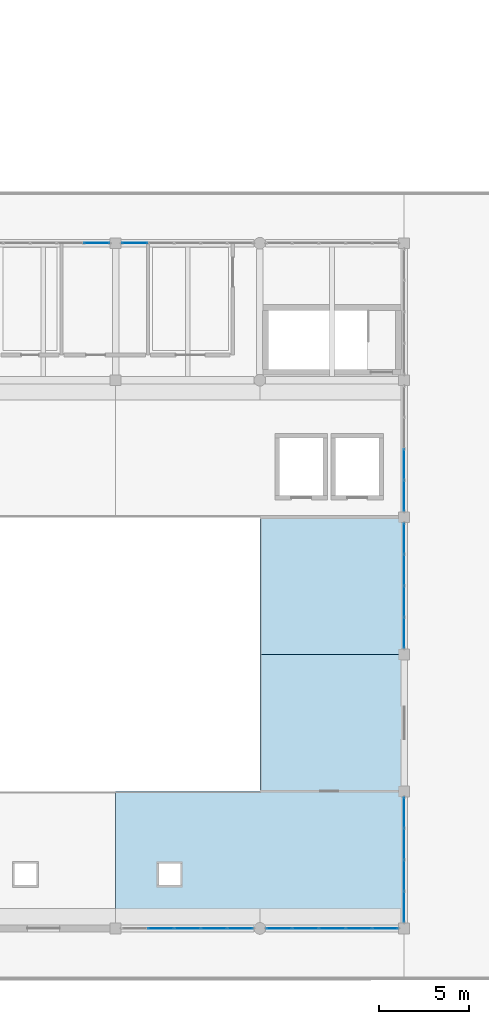
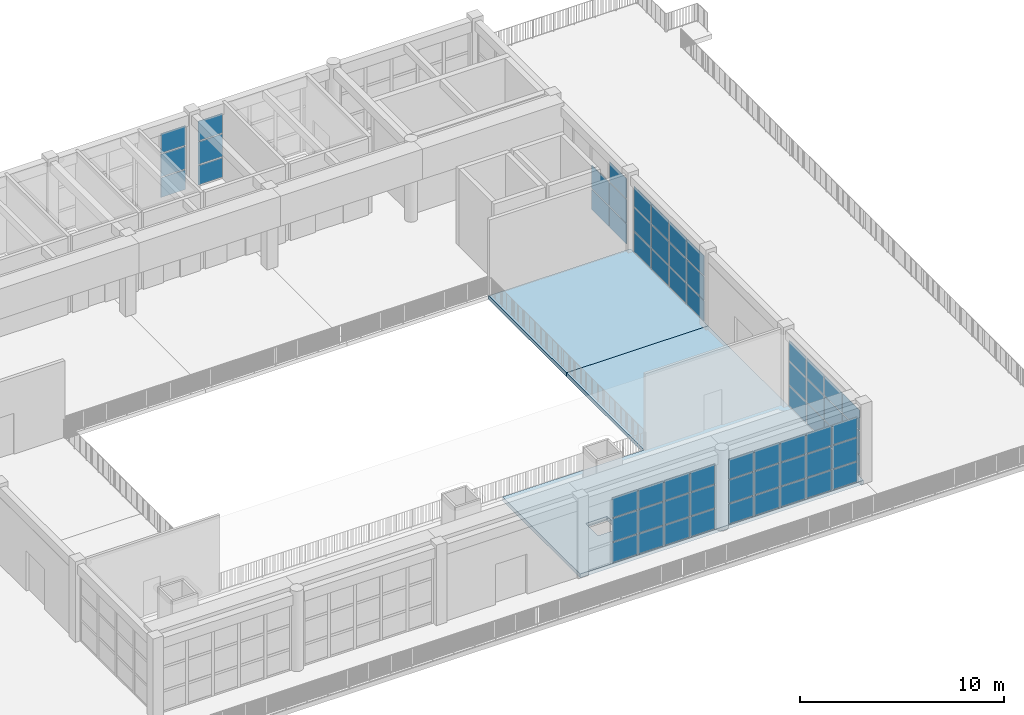
# One storey, part 24 of 32: 62 plates, 2 slabs, 7 elements without a shape of their own.
"""IFC4 building model written with IfcOpenShell, lengths in metres."""

from ifc_helpers import new_model, si_unit, direction, frame, origin, origin_2d, place, context, subcontext, project, spatial, polyline, rectangle, outline, extrude, material, layer, layer_set, type_object, element, aggregate, save


model = new_model("IFC4")

# Units and contexts
model_context = context("Model", 3, precision=1e-05, world=origin(), true_north=direction((0.0, 1.0)))
body_context = subcontext(model_context, "Body", "Model", "MODEL_VIEW")
ifc_project = project(units=[si_unit("LENGTHUNIT", "METRE"), si_unit("AREAUNIT", "SQUARE_METRE"), si_unit("VOLUMEUNIT", "CUBIC_METRE"), si_unit("PLANEANGLEUNIT", "RADIAN"), si_unit("MASSUNIT", "GRAM", prefix="KILO")], contexts=[model_context])

# Site, building, storey
site_placement = place(None, origin())
site = spatial("IfcSite", under=ifc_project, at=site_placement, CompositionType="ELEMENT")
building_placement = place(site_placement, origin())
building = spatial("IfcBuilding", under=site, at=building_placement, Name="Zantavel Square City Hall", CompositionType="ELEMENT")
storey_placement = place(building_placement, frame((0.0, 0.0, 23.699951171875)))
storey = spatial("IfcBuildingStorey", under=building, at=storey_placement, Name="L06", CompositionType="ELEMENT", Elevation=23.699951171875)

# Slabs
ifc_material_1 = material(Name="Concrete C35/45", Category="concrete")
ifc_layer_1 = layer(ifc_material_1, 0.22998046875, Name="Concrete C35/45")
ifc_layer_set_1 = layer_set([ifc_layer_1], Name="Concrete C35/45")
slab_type = type_object("IfcSlabType", Name="Gallery Mezzanine Slab 230mm C35/45", PredefinedType="FLOOR", material=ifc_layer_set_1)
slab_1_placement = place(storey_placement, frame((0.0, 0.0, -0.22998046875)))
element("IfcSlab", 1, at=slab_1_placement, inside=storey, type_object=slab_type, Name="L06 Floor Slab SLB-L06-V1-03", PredefinedType="FLOOR", context=body_context, shape_type="SweptSolid", body=[
    extrude(outline(polyline([(104.0, 30.39990234375), (88.0, 30.39990234375), (88.0, 38.0), (96.0, 38.0), (96.0, 45.60009765625), (104.0, 45.60009765625), (104.0, 30.39990234375)]), holes=[polyline([(91.60009765625, 34.0), (90.39990234375, 34.0), (90.39990234375, 32.800048828125), (91.60009765625, 32.800048828125), (91.60009765625, 34.0)])]), origin(), (0.0, 0.0, 1.0), 0.22998046875),
])
slab_2_placement = place(storey_placement, frame((0.0, 0.0, -0.22998046875)))
element("IfcSlab", 2, at=slab_2_placement, inside=storey, type_object=slab_type, Name="L06 Floor Slab SLB-L06-V1-06", PredefinedType="FLOOR", context=body_context, shape_type="SweptSolid", body=[
    extrude(outline(polyline([(104.0, 53.199951171875), (104.0, 45.60009765625), (96.0, 45.60009765625), (96.0, 53.199951171875), (104.0, 53.199951171875)])), origin(), (0.0, 0.0, 1.0), 0.22998046875),
])

# Curtain wall, plates
ifc_material_2 = material(Name="Anodised aluminium 6063-T6", Category="aluminium")
curtain_wall_type_1 = type_object("IfcCurtainWallType", Name="Curtain Wall TRV1 7375x3930", PredefinedType="USERDEFINED", material=ifc_material_2)
curtain_wall_1_placement = place(storey_placement, origin())
curtain_wall_1 = element("IfcCurtainWall", 3, at=curtain_wall_1_placement, inside=storey, type_object=curtain_wall_type_1, Name="L06 Glazed Curtain Wall CW-L06-148", ObjectType="GLAZED CURTAIN WALL", PredefinedType="USERDEFINED")
ifc_material_3 = material(Name="Tempered safety glass low-E double glazing", Category="glass")
ifc_layer_2 = layer(ifc_material_3, 0.028076171875, Name="Tempered safety glass low-E double glazing")
ifc_layer_set_2 = layer_set([ifc_layer_2], Name="Tempered safety glass low-E double glazing")
plate_type_1 = type_object("IfcPlateType", Name="Low-E Curtain Glazing Panel 1475x1310x28", PredefinedType="CURTAIN_PANEL", material=ifc_layer_set_2)
plate_1_placement = place(storey_placement, frame((89.052490234375, 68.39990234375, 0.06005859375), z_axis=(0.0, 0.0, 1.0), x_axis=(1.0, 0.0, 0.0)))
plate_1 = element("IfcPlate", 4, at=plate_1_placement, type_object=plate_type_1, Name="CW-148 panel 1.1", PredefinedType="CURTAIN_PANEL", context=body_context, shape_type="SweptSolid", body=[
    extrude(rectangle(XDim=1.385009765625, YDim=0.028076171875, at=origin_2d()), origin(), (0.0, 0.0, 1.0), 1.16796875),
])
plate_2_placement = place(storey_placement, frame((89.052490234375, 68.39990234375, 1.2880859375), z_axis=(0.0, 0.0, 1.0), x_axis=(1.0, 0.0, 0.0)))
plate_2 = element("IfcPlate", 5, at=plate_2_placement, type_object=plate_type_1, Name="CW-148 panel 1.2", PredefinedType="CURTAIN_PANEL", context=body_context, shape_type="SweptSolid", body=[
    extrude(rectangle(XDim=1.385009765625, YDim=0.028076171875, at=origin_2d()), origin(), (0.0, 0.0, 1.0), 1.35400390625),
])
plate_3_placement = place(storey_placement, frame((89.052490234375, 68.39990234375, 2.7021484375), z_axis=(0.0, 0.0, 1.0), x_axis=(1.0, 0.0, 0.0)))
plate_3 = element("IfcPlate", 6, at=plate_3_placement, type_object=plate_type_1, Name="CW-148 panel 1.3", PredefinedType="CURTAIN_PANEL", context=body_context, shape_type="SweptSolid", body=[
    extrude(rectangle(XDim=1.385009765625, YDim=0.028076171875, at=origin_2d()), origin(), (0.0, 0.0, 1.0), 1.16796875),
])
aggregate(curtain_wall_1, [plate_1, plate_2, plate_3])

curtain_wall_type_2 = type_object("IfcCurtainWallType", Name="Curtain Wall TRV1 7375x3980", PredefinedType="USERDEFINED", material=ifc_material_2)
curtain_wall_2_placement = place(storey_placement, origin())
curtain_wall_2 = element("IfcCurtainWall", 7, at=curtain_wall_2_placement, inside=storey, type_object=curtain_wall_type_2, Name="L06 Glazed Curtain Wall CW-L06-154", ObjectType="GLAZED CURTAIN WALL", PredefinedType="USERDEFINED")
ifc_layer_3 = layer(ifc_material_3, 0.028076171875, Name="Tempered safety glass low-E double glazing")
ifc_layer_set_3 = layer_set([ifc_layer_3], Name="Tempered safety glass low-E double glazing")
plate_type_2 = type_object("IfcPlateType", Name="Low-E Curtain Glazing Panel 1475x1327x28", PredefinedType="CURTAIN_PANEL", material=ifc_layer_set_3)
plate_4_placement = place(storey_placement, frame((102.947509765625, 30.39990234375, 0.06005859375), z_axis=(0.0, 0.0, 1.0), x_axis=(-1.0, 0.0, 0.0)))
plate_4 = element("IfcPlate", 8, at=plate_4_placement, type_object=plate_type_2, Name="CW-154 panel 1.1", PredefinedType="CURTAIN_PANEL", context=body_context, shape_type="SweptSolid", body=[
    extrude(rectangle(XDim=1.385009765625, YDim=0.028076171875, at=origin_2d()), origin(), (0.0, 0.0, 1.0), 1.18408203125),
])
plate_5_placement = place(storey_placement, frame((102.947509765625, 30.39990234375, 1.303955078125), z_axis=(0.0, 0.0, 1.0), x_axis=(-1.0, 0.0, 0.0)))
plate_5 = element("IfcPlate", 9, at=plate_5_placement, type_object=plate_type_2, Name="CW-154 panel 1.2", PredefinedType="CURTAIN_PANEL", context=body_context, shape_type="SweptSolid", body=[
    extrude(rectangle(XDim=1.385009765625, YDim=0.028076171875, at=origin_2d()), origin(), (0.0, 0.0, 1.0), 1.3720703125),
])
plate_6_placement = place(storey_placement, frame((102.947509765625, 30.39990234375, 2.736083984375), z_axis=(0.0, 0.0, 1.0), x_axis=(-1.0, 0.0, 0.0)))
plate_6 = element("IfcPlate", 10, at=plate_6_placement, type_object=plate_type_2, Name="CW-154 panel 1.3", PredefinedType="CURTAIN_PANEL", context=body_context, shape_type="SweptSolid", body=[
    extrude(rectangle(XDim=1.385009765625, YDim=0.028076171875, at=origin_2d()), origin(), (0.0, 0.0, 1.0), 1.18408203125),
])
plate_7_placement = place(storey_placement, frame((101.487548828125, 30.39990234375, 0.06005859375), z_axis=(0.0, 0.0, 1.0), x_axis=(-1.0, 0.0, 0.0)))
plate_7 = element("IfcPlate", 11, at=plate_7_placement, type_object=plate_type_2, Name="CW-154 panel 2.1", PredefinedType="CURTAIN_PANEL", context=body_context, shape_type="SweptSolid", body=[
    extrude(rectangle(XDim=1.4150390625, YDim=0.028076171875, at=origin_2d()), origin(), (0.0, 0.0, 1.0), 1.18408203125),
])
plate_8_placement = place(storey_placement, frame((101.487548828125, 30.39990234375, 1.303955078125), z_axis=(0.0, 0.0, 1.0), x_axis=(-1.0, 0.0, 0.0)))
plate_8 = element("IfcPlate", 12, at=plate_8_placement, type_object=plate_type_2, Name="CW-154 panel 2.2", PredefinedType="CURTAIN_PANEL", context=body_context, shape_type="SweptSolid", body=[
    extrude(rectangle(XDim=1.4150390625, YDim=0.028076171875, at=origin_2d()), origin(), (0.0, 0.0, 1.0), 1.3720703125),
])
plate_9_placement = place(storey_placement, frame((101.487548828125, 30.39990234375, 2.736083984375), z_axis=(0.0, 0.0, 1.0), x_axis=(-1.0, 0.0, 0.0)))
plate_9 = element("IfcPlate", 13, at=plate_9_placement, type_object=plate_type_2, Name="CW-154 panel 2.3", PredefinedType="CURTAIN_PANEL", context=body_context, shape_type="SweptSolid", body=[
    extrude(rectangle(XDim=1.4150390625, YDim=0.028076171875, at=origin_2d()), origin(), (0.0, 0.0, 1.0), 1.18408203125),
])
plate_10_placement = place(storey_placement, frame((100.012451171875, 30.39990234375, 0.06005859375), z_axis=(0.0, 0.0, 1.0), x_axis=(-1.0, 0.0, 0.0)))
plate_10 = element("IfcPlate", 14, at=plate_10_placement, type_object=plate_type_2, Name="CW-154 panel 3.1", PredefinedType="CURTAIN_PANEL", context=body_context, shape_type="SweptSolid", body=[
    extrude(rectangle(XDim=1.4150390625, YDim=0.028076171875, at=origin_2d()), origin(), (0.0, 0.0, 1.0), 1.18408203125),
])
plate_11_placement = place(storey_placement, frame((100.012451171875, 30.39990234375, 1.303955078125), z_axis=(0.0, 0.0, 1.0), x_axis=(-1.0, 0.0, 0.0)))
plate_11 = element("IfcPlate", 15, at=plate_11_placement, type_object=plate_type_2, Name="CW-154 panel 3.2", PredefinedType="CURTAIN_PANEL", context=body_context, shape_type="SweptSolid", body=[
    extrude(rectangle(XDim=1.4150390625, YDim=0.028076171875, at=origin_2d()), origin(), (0.0, 0.0, 1.0), 1.3720703125),
])
plate_12_placement = place(storey_placement, frame((100.012451171875, 30.39990234375, 2.736083984375), z_axis=(0.0, 0.0, 1.0), x_axis=(-1.0, 0.0, 0.0)))
plate_12 = element("IfcPlate", 16, at=plate_12_placement, type_object=plate_type_2, Name="CW-154 panel 3.3", PredefinedType="CURTAIN_PANEL", context=body_context, shape_type="SweptSolid", body=[
    extrude(rectangle(XDim=1.4150390625, YDim=0.028076171875, at=origin_2d()), origin(), (0.0, 0.0, 1.0), 1.18408203125),
])
plate_13_placement = place(storey_placement, frame((98.53759765625, 30.39990234375, 0.06005859375), z_axis=(0.0, 0.0, 1.0), x_axis=(-1.0, 0.0, 0.0)))
plate_13 = element("IfcPlate", 17, at=plate_13_placement, type_object=plate_type_2, Name="CW-154 panel 4.1", PredefinedType="CURTAIN_PANEL", context=body_context, shape_type="SweptSolid", body=[
    extrude(rectangle(XDim=1.4150390625, YDim=0.028076171875, at=origin_2d()), origin(), (0.0, 0.0, 1.0), 1.18408203125),
])
plate_14_placement = place(storey_placement, frame((98.53759765625, 30.39990234375, 1.303955078125), z_axis=(0.0, 0.0, 1.0), x_axis=(-1.0, 0.0, 0.0)))
plate_14 = element("IfcPlate", 18, at=plate_14_placement, type_object=plate_type_2, Name="CW-154 panel 4.2", PredefinedType="CURTAIN_PANEL", context=body_context, shape_type="SweptSolid", body=[
    extrude(rectangle(XDim=1.4150390625, YDim=0.028076171875, at=origin_2d()), origin(), (0.0, 0.0, 1.0), 1.3720703125),
])
plate_15_placement = place(storey_placement, frame((98.53759765625, 30.39990234375, 2.736083984375), z_axis=(0.0, 0.0, 1.0), x_axis=(-1.0, 0.0, 0.0)))
plate_15 = element("IfcPlate", 19, at=plate_15_placement, type_object=plate_type_2, Name="CW-154 panel 4.3", PredefinedType="CURTAIN_PANEL", context=body_context, shape_type="SweptSolid", body=[
    extrude(rectangle(XDim=1.4150390625, YDim=0.028076171875, at=origin_2d()), origin(), (0.0, 0.0, 1.0), 1.18408203125),
])
plate_16_placement = place(storey_placement, frame((97.077392578125, 30.39990234375, 0.06005859375), z_axis=(0.0, 0.0, 1.0), x_axis=(-1.0, 0.0, 0.0)))
plate_16 = element("IfcPlate", 20, at=plate_16_placement, type_object=plate_type_2, Name="CW-154 panel 5.1", PredefinedType="CURTAIN_PANEL", context=body_context, shape_type="SweptSolid", body=[
    extrude(rectangle(XDim=1.385009765625, YDim=0.028076171875, at=origin_2d()), origin(), (0.0, 0.0, 1.0), 1.18408203125),
])
plate_17_placement = place(storey_placement, frame((97.077392578125, 30.39990234375, 1.303955078125), z_axis=(0.0, 0.0, 1.0), x_axis=(-1.0, 0.0, 0.0)))
plate_17 = element("IfcPlate", 21, at=plate_17_placement, type_object=plate_type_2, Name="CW-154 panel 5.2", PredefinedType="CURTAIN_PANEL", context=body_context, shape_type="SweptSolid", body=[
    extrude(rectangle(XDim=1.385009765625, YDim=0.028076171875, at=origin_2d()), origin(), (0.0, 0.0, 1.0), 1.3720703125),
])
plate_18_placement = place(storey_placement, frame((97.077392578125, 30.39990234375, 2.736083984375), z_axis=(0.0, 0.0, 1.0), x_axis=(-1.0, 0.0, 0.0)))
plate_18 = element("IfcPlate", 22, at=plate_18_placement, type_object=plate_type_2, Name="CW-154 panel 5.3", PredefinedType="CURTAIN_PANEL", context=body_context, shape_type="SweptSolid", body=[
    extrude(rectangle(XDim=1.385009765625, YDim=0.028076171875, at=origin_2d()), origin(), (0.0, 0.0, 1.0), 1.18408203125),
])
aggregate(curtain_wall_2, [plate_4, plate_5, plate_6, plate_7, plate_8, plate_9, plate_10, plate_11, plate_12, plate_13, plate_14, plate_15, plate_16, plate_17, plate_18])

curtain_wall_3_placement = place(storey_placement, origin())
curtain_wall_3 = element("IfcCurtainWall", 23, at=curtain_wall_3_placement, inside=storey, type_object=curtain_wall_type_2, Name="L06 Glazed Curtain Wall CW-L06-155", ObjectType="GLAZED CURTAIN WALL", PredefinedType="USERDEFINED")
plate_19_placement = place(storey_placement, frame((94.922607421875, 30.39990234375, 0.06005859375), z_axis=(0.0, 0.0, 1.0), x_axis=(-1.0, 0.0, 0.0)))
plate_19 = element("IfcPlate", 24, at=plate_19_placement, type_object=plate_type_2, Name="CW-155 panel 1.1", PredefinedType="CURTAIN_PANEL", context=body_context, shape_type="SweptSolid", body=[
    extrude(rectangle(XDim=1.385009765625, YDim=0.028076171875, at=origin_2d()), origin(), (0.0, 0.0, 1.0), 1.18408203125),
])
plate_20_placement = place(storey_placement, frame((94.922607421875, 30.39990234375, 1.303955078125), z_axis=(0.0, 0.0, 1.0), x_axis=(-1.0, 0.0, 0.0)))
plate_20 = element("IfcPlate", 25, at=plate_20_placement, type_object=plate_type_2, Name="CW-155 panel 1.2", PredefinedType="CURTAIN_PANEL", context=body_context, shape_type="SweptSolid", body=[
    extrude(rectangle(XDim=1.385009765625, YDim=0.028076171875, at=origin_2d()), origin(), (0.0, 0.0, 1.0), 1.3720703125),
])
plate_21_placement = place(storey_placement, frame((94.922607421875, 30.39990234375, 2.736083984375), z_axis=(0.0, 0.0, 1.0), x_axis=(-1.0, 0.0, 0.0)))
plate_21 = element("IfcPlate", 26, at=plate_21_placement, type_object=plate_type_2, Name="CW-155 panel 1.3", PredefinedType="CURTAIN_PANEL", context=body_context, shape_type="SweptSolid", body=[
    extrude(rectangle(XDim=1.385009765625, YDim=0.028076171875, at=origin_2d()), origin(), (0.0, 0.0, 1.0), 1.18408203125),
])
plate_22_placement = place(storey_placement, frame((93.46240234375, 30.39990234375, 0.06005859375), z_axis=(0.0, 0.0, 1.0), x_axis=(-1.0, 0.0, 0.0)))
plate_22 = element("IfcPlate", 27, at=plate_22_placement, type_object=plate_type_2, Name="CW-155 panel 2.1", PredefinedType="CURTAIN_PANEL", context=body_context, shape_type="SweptSolid", body=[
    extrude(rectangle(XDim=1.4150390625, YDim=0.028076171875, at=origin_2d()), origin(), (0.0, 0.0, 1.0), 1.18408203125),
])
plate_23_placement = place(storey_placement, frame((93.46240234375, 30.39990234375, 1.303955078125), z_axis=(0.0, 0.0, 1.0), x_axis=(-1.0, 0.0, 0.0)))
plate_23 = element("IfcPlate", 28, at=plate_23_placement, type_object=plate_type_2, Name="CW-155 panel 2.2", PredefinedType="CURTAIN_PANEL", context=body_context, shape_type="SweptSolid", body=[
    extrude(rectangle(XDim=1.4150390625, YDim=0.028076171875, at=origin_2d()), origin(), (0.0, 0.0, 1.0), 1.3720703125),
])
plate_24_placement = place(storey_placement, frame((93.46240234375, 30.39990234375, 2.736083984375), z_axis=(0.0, 0.0, 1.0), x_axis=(-1.0, 0.0, 0.0)))
plate_24 = element("IfcPlate", 29, at=plate_24_placement, type_object=plate_type_2, Name="CW-155 panel 2.3", PredefinedType="CURTAIN_PANEL", context=body_context, shape_type="SweptSolid", body=[
    extrude(rectangle(XDim=1.4150390625, YDim=0.028076171875, at=origin_2d()), origin(), (0.0, 0.0, 1.0), 1.18408203125),
])
plate_25_placement = place(storey_placement, frame((91.987548828125, 30.39990234375, 0.06005859375), z_axis=(0.0, 0.0, 1.0), x_axis=(-1.0, 0.0, 0.0)))
plate_25 = element("IfcPlate", 30, at=plate_25_placement, type_object=plate_type_2, Name="CW-155 panel 3.1", PredefinedType="CURTAIN_PANEL", context=body_context, shape_type="SweptSolid", body=[
    extrude(rectangle(XDim=1.4150390625, YDim=0.028076171875, at=origin_2d()), origin(), (0.0, 0.0, 1.0), 1.18408203125),
])
plate_26_placement = place(storey_placement, frame((91.987548828125, 30.39990234375, 1.303955078125), z_axis=(0.0, 0.0, 1.0), x_axis=(-1.0, 0.0, 0.0)))
plate_26 = element("IfcPlate", 31, at=plate_26_placement, type_object=plate_type_2, Name="CW-155 panel 3.2", PredefinedType="CURTAIN_PANEL", context=body_context, shape_type="SweptSolid", body=[
    extrude(rectangle(XDim=1.4150390625, YDim=0.028076171875, at=origin_2d()), origin(), (0.0, 0.0, 1.0), 1.3720703125),
])
plate_27_placement = place(storey_placement, frame((91.987548828125, 30.39990234375, 2.736083984375), z_axis=(0.0, 0.0, 1.0), x_axis=(-1.0, 0.0, 0.0)))
plate_27 = element("IfcPlate", 32, at=plate_27_placement, type_object=plate_type_2, Name="CW-155 panel 3.3", PredefinedType="CURTAIN_PANEL", context=body_context, shape_type="SweptSolid", body=[
    extrude(rectangle(XDim=1.4150390625, YDim=0.028076171875, at=origin_2d()), origin(), (0.0, 0.0, 1.0), 1.18408203125),
])
plate_28_placement = place(storey_placement, frame((90.512451171875, 30.39990234375, 0.06005859375), z_axis=(0.0, 0.0, 1.0), x_axis=(-1.0, 0.0, 0.0)))
plate_28 = element("IfcPlate", 33, at=plate_28_placement, type_object=plate_type_2, Name="CW-155 panel 4.1", PredefinedType="CURTAIN_PANEL", context=body_context, shape_type="SweptSolid", body=[
    extrude(rectangle(XDim=1.4150390625, YDim=0.028076171875, at=origin_2d()), origin(), (0.0, 0.0, 1.0), 1.18408203125),
])
plate_29_placement = place(storey_placement, frame((90.512451171875, 30.39990234375, 1.303955078125), z_axis=(0.0, 0.0, 1.0), x_axis=(-1.0, 0.0, 0.0)))
plate_29 = element("IfcPlate", 34, at=plate_29_placement, type_object=plate_type_2, Name="CW-155 panel 4.2", PredefinedType="CURTAIN_PANEL", context=body_context, shape_type="SweptSolid", body=[
    extrude(rectangle(XDim=1.4150390625, YDim=0.028076171875, at=origin_2d()), origin(), (0.0, 0.0, 1.0), 1.3720703125),
])
plate_30_placement = place(storey_placement, frame((90.512451171875, 30.39990234375, 2.736083984375), z_axis=(0.0, 0.0, 1.0), x_axis=(-1.0, 0.0, 0.0)))
plate_30 = element("IfcPlate", 35, at=plate_30_placement, type_object=plate_type_2, Name="CW-155 panel 4.3", PredefinedType="CURTAIN_PANEL", context=body_context, shape_type="SweptSolid", body=[
    extrude(rectangle(XDim=1.4150390625, YDim=0.028076171875, at=origin_2d()), origin(), (0.0, 0.0, 1.0), 1.18408203125),
])
aggregate(curtain_wall_3, [plate_19, plate_20, plate_21, plate_22, plate_23, plate_24, plate_25, plate_26, plate_27, plate_28, plate_29, plate_30])

curtain_wall_type_3 = type_object("IfcCurtainWallType", Name="Curtain Wall TRV1 7400x3930", PredefinedType="USERDEFINED", material=ifc_material_2)
curtain_wall_4_placement = place(storey_placement, origin())
curtain_wall_4 = element("IfcCurtainWall", 36, at=curtain_wall_4_placement, inside=storey, type_object=curtain_wall_type_3, Name="L06 Glazed Curtain Wall CW-L06-147", ObjectType="GLAZED CURTAIN WALL", PredefinedType="USERDEFINED")
ifc_layer_4 = layer(ifc_material_3, 0.028076171875, Name="Tempered safety glass low-E double glazing")
ifc_layer_set_4 = layer_set([ifc_layer_4], Name="Tempered safety glass low-E double glazing")
plate_type_3 = type_object("IfcPlateType", Name="Low-E Curtain Glazing Panel 1480x1310x28", PredefinedType="CURTAIN_PANEL", material=ifc_layer_set_4)
plate_31_placement = place(storey_placement, frame((86.945068359375, 68.39990234375, 0.06005859375), z_axis=(0.0, 0.0, 1.0), x_axis=(1.0, 0.0, 0.0)))
plate_31 = element("IfcPlate", 37, at=plate_31_placement, type_object=plate_type_3, Name="CW-147 panel 5.1", PredefinedType="CURTAIN_PANEL", context=body_context, shape_type="SweptSolid", body=[
    extrude(rectangle(XDim=1.389892578125, YDim=0.028076171875, at=origin_2d()), origin(), (0.0, 0.0, 1.0), 1.16796875),
])
plate_32_placement = place(storey_placement, frame((86.945068359375, 68.39990234375, 1.2880859375), z_axis=(0.0, 0.0, 1.0), x_axis=(1.0, 0.0, 0.0)))
plate_32 = element("IfcPlate", 38, at=plate_32_placement, type_object=plate_type_3, Name="CW-147 panel 5.2", PredefinedType="CURTAIN_PANEL", context=body_context, shape_type="SweptSolid", body=[
    extrude(rectangle(XDim=1.389892578125, YDim=0.028076171875, at=origin_2d()), origin(), (0.0, 0.0, 1.0), 1.35400390625),
])
plate_33_placement = place(storey_placement, frame((86.945068359375, 68.39990234375, 2.7021484375), z_axis=(0.0, 0.0, 1.0), x_axis=(1.0, 0.0, 0.0)))
plate_33 = element("IfcPlate", 39, at=plate_33_placement, type_object=plate_type_3, Name="CW-147 panel 5.3", PredefinedType="CURTAIN_PANEL", context=body_context, shape_type="SweptSolid", body=[
    extrude(rectangle(XDim=1.389892578125, YDim=0.028076171875, at=origin_2d()), origin(), (0.0, 0.0, 1.0), 1.16796875),
])
aggregate(curtain_wall_4, [plate_31, plate_32, plate_33])

curtain_wall_type_4 = type_object("IfcCurtainWallType", Name="Curtain Wall TRV1 7000x4030", PredefinedType="USERDEFINED", material=ifc_material_2)
curtain_wall_5_placement = place(storey_placement, origin())
curtain_wall_5 = element("IfcCurtainWall", 40, at=curtain_wall_5_placement, inside=storey, type_object=curtain_wall_type_4, Name="L06 Glazed Curtain Wall CW-L06-151", ObjectType="GLAZED CURTAIN WALL", PredefinedType="USERDEFINED")
ifc_layer_5 = layer(ifc_material_3, 0.028076171875, Name="Tempered safety glass low-E double glazing")
ifc_layer_set_5 = layer_set([ifc_layer_5], Name="Tempered safety glass low-E double glazing")
plate_type_4 = type_object("IfcPlateType", Name="Low-E Curtain Glazing Panel 1750x1343x28", PredefinedType="CURTAIN_PANEL", material=ifc_layer_set_5)
plate_34_placement = place(storey_placement, frame((104.0, 56.125, 0.06005859375), z_axis=(0.0, 0.0, 1.0), x_axis=(0.0, -1.0, 0.0)))
plate_34 = element("IfcPlate", 41, at=plate_34_placement, type_object=plate_type_4, Name="CW-151 panel 3.1", PredefinedType="CURTAIN_PANEL", context=body_context, shape_type="SweptSolid", body=[
    extrude(rectangle(XDim=1.68994140625, YDim=0.028076171875, at=origin_2d()), origin(), (0.0, 0.0, 1.0), 1.199951171875),
])
plate_35_placement = place(storey_placement, frame((104.0, 56.125, 1.3203125), z_axis=(0.0, 0.0, 1.0), x_axis=(0.0, -1.0, 0.0)))
plate_35 = element("IfcPlate", 42, at=plate_35_placement, type_object=plate_type_4, Name="CW-151 panel 3.2", PredefinedType="CURTAIN_PANEL", context=body_context, shape_type="SweptSolid", body=[
    extrude(rectangle(XDim=1.68994140625, YDim=0.028076171875, at=origin_2d()), origin(), (0.0, 0.0, 1.0), 1.389892578125),
])
plate_36_placement = place(storey_placement, frame((104.0, 54.389892578125, 0.06005859375), z_axis=(0.0, 0.0, 1.0), x_axis=(0.0, -1.0, 0.0)))
plate_36 = element("IfcPlate", 43, at=plate_36_placement, type_object=plate_type_4, Name="CW-151 panel 4.1", PredefinedType="CURTAIN_PANEL", context=body_context, shape_type="SweptSolid", body=[
    extrude(rectangle(XDim=1.659912109375, YDim=0.028076171875, at=origin_2d()), origin(), (0.0, 0.0, 1.0), 1.199951171875),
])
plate_37_placement = place(storey_placement, frame((104.0, 54.389892578125, 1.3203125), z_axis=(0.0, 0.0, 1.0), x_axis=(0.0, -1.0, 0.0)))
plate_37 = element("IfcPlate", 44, at=plate_37_placement, type_object=plate_type_4, Name="CW-151 panel 4.2", PredefinedType="CURTAIN_PANEL", context=body_context, shape_type="SweptSolid", body=[
    extrude(rectangle(XDim=1.659912109375, YDim=0.028076171875, at=origin_2d()), origin(), (0.0, 0.0, 1.0), 1.389892578125),
])
plate_38_placement = place(storey_placement, frame((104.0, 54.389892578125, 2.77001953125), z_axis=(0.0, 0.0, 1.0), x_axis=(0.0, -1.0, 0.0)))
plate_38 = element("IfcPlate", 45, at=plate_38_placement, type_object=plate_type_4, Name="CW-151 panel 4.3", PredefinedType="CURTAIN_PANEL", context=body_context, shape_type="SweptSolid", body=[
    extrude(rectangle(XDim=1.659912109375, YDim=0.028076171875, at=origin_2d()), origin(), (0.0, 0.0, 1.0), 1.199951171875),
])
aggregate(curtain_wall_5, [plate_34, plate_35, plate_36, plate_37, plate_38])

curtain_wall_6_placement = place(storey_placement, origin())
curtain_wall_6 = element("IfcCurtainWall", 46, at=curtain_wall_6_placement, inside=storey, type_object=curtain_wall_type_4, Name="L06 Glazed Curtain Wall CW-L06-152", ObjectType="GLAZED CURTAIN WALL", PredefinedType="USERDEFINED")
plate_39_placement = place(storey_placement, frame((104.0, 52.010009765625, 0.06005859375), z_axis=(0.0, 0.0, 1.0), x_axis=(0.0, -1.0, 0.0)))
plate_39 = element("IfcPlate", 47, at=plate_39_placement, type_object=plate_type_4, Name="CW-152 panel 1.1", PredefinedType="CURTAIN_PANEL", context=body_context, shape_type="SweptSolid", body=[
    extrude(rectangle(XDim=1.659912109375, YDim=0.028076171875, at=origin_2d()), origin(), (0.0, 0.0, 1.0), 1.199951171875),
])
plate_40_placement = place(storey_placement, frame((104.0, 52.010009765625, 1.3203125), z_axis=(0.0, 0.0, 1.0), x_axis=(0.0, -1.0, 0.0)))
plate_40 = element("IfcPlate", 48, at=plate_40_placement, type_object=plate_type_4, Name="CW-152 panel 1.2", PredefinedType="CURTAIN_PANEL", context=body_context, shape_type="SweptSolid", body=[
    extrude(rectangle(XDim=1.659912109375, YDim=0.028076171875, at=origin_2d()), origin(), (0.0, 0.0, 1.0), 1.389892578125),
])
plate_41_placement = place(storey_placement, frame((104.0, 52.010009765625, 2.77001953125), z_axis=(0.0, 0.0, 1.0), x_axis=(0.0, -1.0, 0.0)))
plate_41 = element("IfcPlate", 49, at=plate_41_placement, type_object=plate_type_4, Name="CW-152 panel 1.3", PredefinedType="CURTAIN_PANEL", context=body_context, shape_type="SweptSolid", body=[
    extrude(rectangle(XDim=1.659912109375, YDim=0.028076171875, at=origin_2d()), origin(), (0.0, 0.0, 1.0), 1.199951171875),
])
plate_42_placement = place(storey_placement, frame((104.0, 50.27490234375, 0.06005859375), z_axis=(0.0, 0.0, 1.0), x_axis=(0.0, -1.0, 0.0)))
plate_42 = element("IfcPlate", 50, at=plate_42_placement, type_object=plate_type_4, Name="CW-152 panel 2.1", PredefinedType="CURTAIN_PANEL", context=body_context, shape_type="SweptSolid", body=[
    extrude(rectangle(XDim=1.68994140625, YDim=0.028076171875, at=origin_2d()), origin(), (0.0, 0.0, 1.0), 1.199951171875),
])
plate_43_placement = place(storey_placement, frame((104.0, 50.27490234375, 1.3203125), z_axis=(0.0, 0.0, 1.0), x_axis=(0.0, -1.0, 0.0)))
plate_43 = element("IfcPlate", 51, at=plate_43_placement, type_object=plate_type_4, Name="CW-152 panel 2.2", PredefinedType="CURTAIN_PANEL", context=body_context, shape_type="SweptSolid", body=[
    extrude(rectangle(XDim=1.68994140625, YDim=0.028076171875, at=origin_2d()), origin(), (0.0, 0.0, 1.0), 1.389892578125),
])
plate_44_placement = place(storey_placement, frame((104.0, 50.27490234375, 2.77001953125), z_axis=(0.0, 0.0, 1.0), x_axis=(0.0, -1.0, 0.0)))
plate_44 = element("IfcPlate", 52, at=plate_44_placement, type_object=plate_type_4, Name="CW-152 panel 2.3", PredefinedType="CURTAIN_PANEL", context=body_context, shape_type="SweptSolid", body=[
    extrude(rectangle(XDim=1.68994140625, YDim=0.028076171875, at=origin_2d()), origin(), (0.0, 0.0, 1.0), 1.199951171875),
])
plate_45_placement = place(storey_placement, frame((104.0, 48.52490234375, 0.06005859375), z_axis=(0.0, 0.0, 1.0), x_axis=(0.0, -1.0, 0.0)))
plate_45 = element("IfcPlate", 53, at=plate_45_placement, type_object=plate_type_4, Name="CW-152 panel 3.1", PredefinedType="CURTAIN_PANEL", context=body_context, shape_type="SweptSolid", body=[
    extrude(rectangle(XDim=1.68994140625, YDim=0.028076171875, at=origin_2d()), origin(), (0.0, 0.0, 1.0), 1.199951171875),
])
plate_46_placement = place(storey_placement, frame((104.0, 48.52490234375, 1.3203125), z_axis=(0.0, 0.0, 1.0), x_axis=(0.0, -1.0, 0.0)))
plate_46 = element("IfcPlate", 54, at=plate_46_placement, type_object=plate_type_4, Name="CW-152 panel 3.2", PredefinedType="CURTAIN_PANEL", context=body_context, shape_type="SweptSolid", body=[
    extrude(rectangle(XDim=1.68994140625, YDim=0.028076171875, at=origin_2d()), origin(), (0.0, 0.0, 1.0), 1.389892578125),
])
plate_47_placement = place(storey_placement, frame((104.0, 48.52490234375, 2.77001953125), z_axis=(0.0, 0.0, 1.0), x_axis=(0.0, -1.0, 0.0)))
plate_47 = element("IfcPlate", 55, at=plate_47_placement, type_object=plate_type_4, Name="CW-152 panel 3.3", PredefinedType="CURTAIN_PANEL", context=body_context, shape_type="SweptSolid", body=[
    extrude(rectangle(XDim=1.68994140625, YDim=0.028076171875, at=origin_2d()), origin(), (0.0, 0.0, 1.0), 1.199951171875),
])
plate_48_placement = place(storey_placement, frame((104.0, 46.7900390625, 0.06005859375), z_axis=(0.0, 0.0, 1.0), x_axis=(0.0, -1.0, 0.0)))
plate_48 = element("IfcPlate", 56, at=plate_48_placement, type_object=plate_type_4, Name="CW-152 panel 4.1", PredefinedType="CURTAIN_PANEL", context=body_context, shape_type="SweptSolid", body=[
    extrude(rectangle(XDim=1.659912109375, YDim=0.028076171875, at=origin_2d()), origin(), (0.0, 0.0, 1.0), 1.199951171875),
])
plate_49_placement = place(storey_placement, frame((104.0, 46.7900390625, 1.3203125), z_axis=(0.0, 0.0, 1.0), x_axis=(0.0, -1.0, 0.0)))
plate_49 = element("IfcPlate", 57, at=plate_49_placement, type_object=plate_type_4, Name="CW-152 panel 4.2", PredefinedType="CURTAIN_PANEL", context=body_context, shape_type="SweptSolid", body=[
    extrude(rectangle(XDim=1.659912109375, YDim=0.028076171875, at=origin_2d()), origin(), (0.0, 0.0, 1.0), 1.389892578125),
])
plate_50_placement = place(storey_placement, frame((104.0, 46.7900390625, 2.77001953125), z_axis=(0.0, 0.0, 1.0), x_axis=(0.0, -1.0, 0.0)))
plate_50 = element("IfcPlate", 58, at=plate_50_placement, type_object=plate_type_4, Name="CW-152 panel 4.3", PredefinedType="CURTAIN_PANEL", context=body_context, shape_type="SweptSolid", body=[
    extrude(rectangle(XDim=1.659912109375, YDim=0.028076171875, at=origin_2d()), origin(), (0.0, 0.0, 1.0), 1.199951171875),
])
aggregate(curtain_wall_6, [plate_39, plate_40, plate_41, plate_42, plate_43, plate_44, plate_45, plate_46, plate_47, plate_48, plate_49, plate_50])

curtain_wall_7_placement = place(storey_placement, origin())
curtain_wall_7 = element("IfcCurtainWall", 59, at=curtain_wall_7_placement, inside=storey, type_object=curtain_wall_type_4, Name="L06 Glazed Curtain Wall CW-L06-153", ObjectType="GLAZED CURTAIN WALL", PredefinedType="USERDEFINED")
plate_51_placement = place(storey_placement, frame((104.0, 36.81005859375, 0.06005859375), z_axis=(0.0, 0.0, 1.0), x_axis=(0.0, -1.0, 0.0)))
plate_51 = element("IfcPlate", 60, at=plate_51_placement, type_object=plate_type_4, Name="CW-153 panel 1.1", PredefinedType="CURTAIN_PANEL", context=body_context, shape_type="SweptSolid", body=[
    extrude(rectangle(XDim=1.659912109375, YDim=0.028076171875, at=origin_2d()), origin(), (0.0, 0.0, 1.0), 1.199951171875),
])
plate_52_placement = place(storey_placement, frame((104.0, 36.81005859375, 1.3203125), z_axis=(0.0, 0.0, 1.0), x_axis=(0.0, -1.0, 0.0)))
plate_52 = element("IfcPlate", 61, at=plate_52_placement, type_object=plate_type_4, Name="CW-153 panel 1.2", PredefinedType="CURTAIN_PANEL", context=body_context, shape_type="SweptSolid", body=[
    extrude(rectangle(XDim=1.659912109375, YDim=0.028076171875, at=origin_2d()), origin(), (0.0, 0.0, 1.0), 1.389892578125),
])
plate_53_placement = place(storey_placement, frame((104.0, 36.81005859375, 2.77001953125), z_axis=(0.0, 0.0, 1.0), x_axis=(0.0, -1.0, 0.0)))
plate_53 = element("IfcPlate", 62, at=plate_53_placement, type_object=plate_type_4, Name="CW-153 panel 1.3", PredefinedType="CURTAIN_PANEL", context=body_context, shape_type="SweptSolid", body=[
    extrude(rectangle(XDim=1.659912109375, YDim=0.028076171875, at=origin_2d()), origin(), (0.0, 0.0, 1.0), 1.199951171875),
])
plate_54_placement = place(storey_placement, frame((104.0, 35.074951171875, 0.06005859375), z_axis=(0.0, 0.0, 1.0), x_axis=(0.0, -1.0, 0.0)))
plate_54 = element("IfcPlate", 63, at=plate_54_placement, type_object=plate_type_4, Name="CW-153 panel 2.1", PredefinedType="CURTAIN_PANEL", context=body_context, shape_type="SweptSolid", body=[
    extrude(rectangle(XDim=1.68994140625, YDim=0.028076171875, at=origin_2d()), origin(), (0.0, 0.0, 1.0), 1.199951171875),
])
plate_55_placement = place(storey_placement, frame((104.0, 35.074951171875, 1.3203125), z_axis=(0.0, 0.0, 1.0), x_axis=(0.0, -1.0, 0.0)))
plate_55 = element("IfcPlate", 64, at=plate_55_placement, type_object=plate_type_4, Name="CW-153 panel 2.2", PredefinedType="CURTAIN_PANEL", context=body_context, shape_type="SweptSolid", body=[
    extrude(rectangle(XDim=1.68994140625, YDim=0.028076171875, at=origin_2d()), origin(), (0.0, 0.0, 1.0), 1.389892578125),
])
plate_56_placement = place(storey_placement, frame((104.0, 35.074951171875, 2.77001953125), z_axis=(0.0, 0.0, 1.0), x_axis=(0.0, -1.0, 0.0)))
plate_56 = element("IfcPlate", 65, at=plate_56_placement, type_object=plate_type_4, Name="CW-153 panel 2.3", PredefinedType="CURTAIN_PANEL", context=body_context, shape_type="SweptSolid", body=[
    extrude(rectangle(XDim=1.68994140625, YDim=0.028076171875, at=origin_2d()), origin(), (0.0, 0.0, 1.0), 1.199951171875),
])
plate_57_placement = place(storey_placement, frame((104.0, 33.324951171875, 0.06005859375), z_axis=(0.0, 0.0, 1.0), x_axis=(0.0, -1.0, 0.0)))
plate_57 = element("IfcPlate", 66, at=plate_57_placement, type_object=plate_type_4, Name="CW-153 panel 3.1", PredefinedType="CURTAIN_PANEL", context=body_context, shape_type="SweptSolid", body=[
    extrude(rectangle(XDim=1.68994140625, YDim=0.028076171875, at=origin_2d()), origin(), (0.0, 0.0, 1.0), 1.199951171875),
])
plate_58_placement = place(storey_placement, frame((104.0, 33.324951171875, 1.3203125), z_axis=(0.0, 0.0, 1.0), x_axis=(0.0, -1.0, 0.0)))
plate_58 = element("IfcPlate", 67, at=plate_58_placement, type_object=plate_type_4, Name="CW-153 panel 3.2", PredefinedType="CURTAIN_PANEL", context=body_context, shape_type="SweptSolid", body=[
    extrude(rectangle(XDim=1.68994140625, YDim=0.028076171875, at=origin_2d()), origin(), (0.0, 0.0, 1.0), 1.389892578125),
])
plate_59_placement = place(storey_placement, frame((104.0, 33.324951171875, 2.77001953125), z_axis=(0.0, 0.0, 1.0), x_axis=(0.0, -1.0, 0.0)))
plate_59 = element("IfcPlate", 68, at=plate_59_placement, type_object=plate_type_4, Name="CW-153 panel 3.3", PredefinedType="CURTAIN_PANEL", context=body_context, shape_type="SweptSolid", body=[
    extrude(rectangle(XDim=1.68994140625, YDim=0.028076171875, at=origin_2d()), origin(), (0.0, 0.0, 1.0), 1.199951171875),
])
plate_60_placement = place(storey_placement, frame((104.0, 31.590087890625, 0.06005859375), z_axis=(0.0, 0.0, 1.0), x_axis=(0.0, -1.0, 0.0)))
plate_60 = element("IfcPlate", 69, at=plate_60_placement, type_object=plate_type_4, Name="CW-153 panel 4.1", PredefinedType="CURTAIN_PANEL", context=body_context, shape_type="SweptSolid", body=[
    extrude(rectangle(XDim=1.659912109375, YDim=0.028076171875, at=origin_2d()), origin(), (0.0, 0.0, 1.0), 1.199951171875),
])
plate_61_placement = place(storey_placement, frame((104.0, 31.590087890625, 1.3203125), z_axis=(0.0, 0.0, 1.0), x_axis=(0.0, -1.0, 0.0)))
plate_61 = element("IfcPlate", 70, at=plate_61_placement, type_object=plate_type_4, Name="CW-153 panel 4.2", PredefinedType="CURTAIN_PANEL", context=body_context, shape_type="SweptSolid", body=[
    extrude(rectangle(XDim=1.659912109375, YDim=0.028076171875, at=origin_2d()), origin(), (0.0, 0.0, 1.0), 1.389892578125),
])
plate_62_placement = place(storey_placement, frame((104.0, 31.590087890625, 2.77001953125), z_axis=(0.0, 0.0, 1.0), x_axis=(0.0, -1.0, 0.0)))
plate_62 = element("IfcPlate", 71, at=plate_62_placement, type_object=plate_type_4, Name="CW-153 panel 4.3", PredefinedType="CURTAIN_PANEL", context=body_context, shape_type="SweptSolid", body=[
    extrude(rectangle(XDim=1.659912109375, YDim=0.028076171875, at=origin_2d()), origin(), (0.0, 0.0, 1.0), 1.199951171875),
])
aggregate(curtain_wall_7, [plate_51, plate_52, plate_53, plate_54, plate_55, plate_56, plate_57, plate_58, plate_59, plate_60, plate_61, plate_62])

save(model, "model.ifc")
